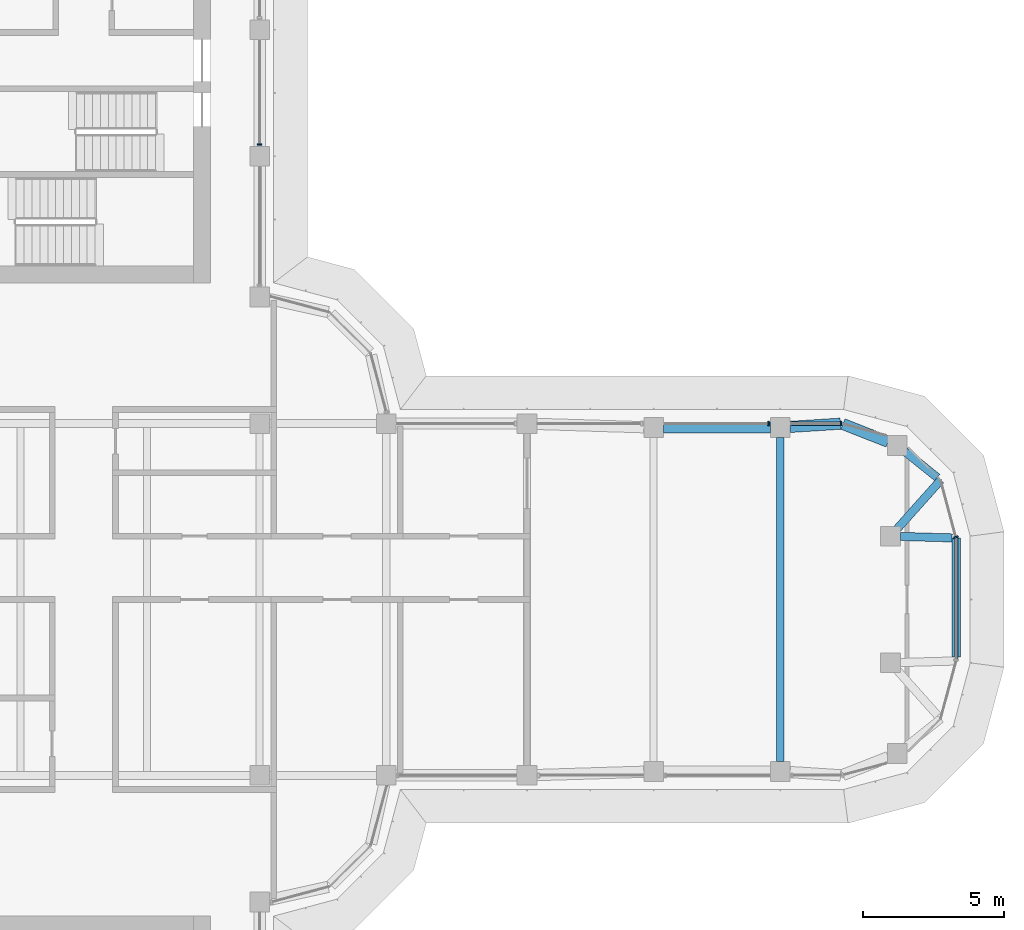
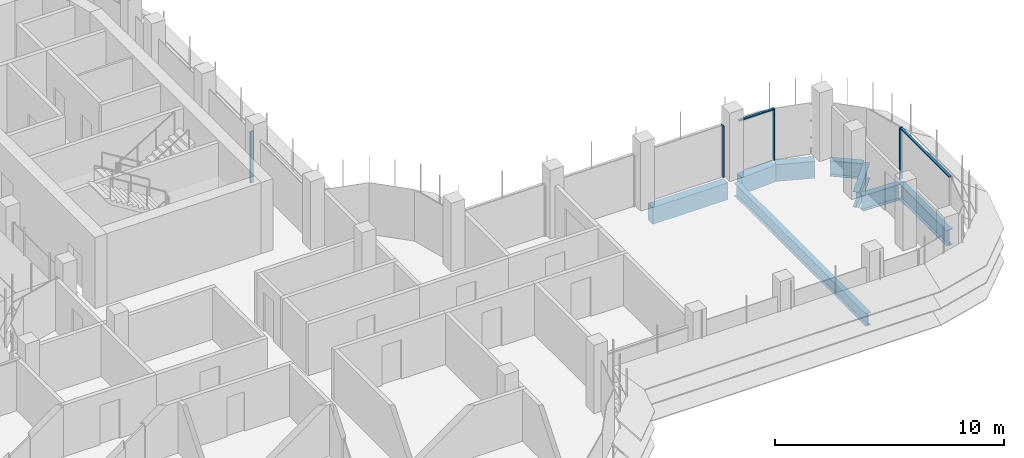
# One storey, part 9 of 18: 8 beams, 6 members, 4 elements without a shape of their own.
"""IFC4 building model written with IfcOpenShell, lengths in metres."""

from ifc_helpers import new_model, si_unit, direction, frame, origin, origin_2d, place, context, subcontext, project, spatial, polyline, rectangle, i_section, outline, extrude, source, transform, mapped, material, material_profile, profile_set, type_object, element, aggregate, save


model = new_model("IFC4")

# Units and contexts
model_context = context("Model", 3, precision=1e-05, world=origin(), true_north=direction((0.0, 1.0)))
body_context = subcontext(model_context, "Body", "Model", "MODEL_VIEW")
ifc_project = project(units=[si_unit("LENGTHUNIT", "METRE"), si_unit("AREAUNIT", "SQUARE_METRE"), si_unit("VOLUMEUNIT", "CUBIC_METRE"), si_unit("PLANEANGLEUNIT", "RADIAN"), si_unit("MASSUNIT", "GRAM", prefix="KILO")], contexts=[model_context])

# Site, building, storey
site_placement = place(None, origin())
site = spatial("IfcSite", under=ifc_project, at=site_placement, CompositionType="ELEMENT")
building_placement = place(site_placement, origin())
building = spatial("IfcBuilding", under=site, at=building_placement, Name="Zarbagh Exchange Tower", CompositionType="ELEMENT")
storey_placement = place(building_placement, frame((0.0, 0.0, 210.60009765625)))
storey = spatial("IfcBuildingStorey", under=building, at=storey_placement, Name="L51", CompositionType="ELEMENT", Elevation=210.60009765625)

# Beams
ifc_material_1 = material(Name="Steel ASTM A992 Gr 50", Category="steel")
ifc_material_profile_1 = material_profile(ifc_material_1, i_section(OverallWidth=0.25390625, OverallDepth=0.67822265625, WebThickness=0.01171875, FlangeThickness=0.016357421875, at=origin_2d()), Name="W27X84")
ifc_profile_set_1 = profile_set([ifc_material_profile_1], Name="Steel ASTM A992 Gr 50")
beam_type_1 = type_object("IfcBeamType", Name="Floor beam W27X84", PredefinedType="BEAM", material=ifc_profile_set_1)
beam_1_placement = place(storey_placement, frame((24.75, -5.760009765625, -0.4892578125), z_axis=(0.0, 1.0, 0.0), x_axis=(-1.0, 0.0, 0.0)))
element("IfcBeam", 1, at=beam_1_placement, inside=storey, type_object=beam_type_1, Name="Steel floor beam", PredefinedType="BEAM", context=body_context, shape_type="SweptSolid", body=[
    extrude(i_section(OverallWidth=0.25390625, OverallDepth=0.67822265625, WebThickness=0.01171875, FlangeThickness=0.016357421875, at=origin_2d()), origin(), (0.0, 0.0, 1.0), 11.52001953125),
])
ifc_material_profile_2 = material_profile(ifc_material_1, i_section(OverallWidth=0.2919921875, OverallDepth=0.835693359375, WebThickness=0.013916015625, FlangeThickness=0.018798828125, at=origin_2d()), Name="W33X118")
ifc_profile_set_2 = profile_set([ifc_material_profile_2], Name="Steel ASTM A992 Gr 50")
beam_type_2 = type_object("IfcBeamType", Name="Floor girder W33X118", PredefinedType="BEAM", material=ifc_profile_set_2)
beam_2_placement = place(storey_placement, frame((29.18115234375, 5.256103515625, -0.56787109375), z_axis=(0.780625690962, -0.624998824487, 0.0), x_axis=(0.624998824487, 0.780625690962, 0.0)))
element("IfcBeam", 2, at=beam_2_placement, inside=storey, type_object=beam_type_2, Name="Steel girder", PredefinedType="BEAM", context=body_context, shape_type="SweptSolid", body=[
    extrude(i_section(OverallWidth=0.2919921875, OverallDepth=0.835693359375, WebThickness=0.013916015625, FlangeThickness=0.018798828125, at=origin_2d()), origin(), (0.0, 0.0, 1.0), 1.469970703125),
])
beam_3_placement = place(storey_placement, frame((30.44873046875, 4.2412109375, -0.56787109375), z_axis=(-0.66615169279, -0.745816279115, 0.0), x_axis=(0.745816279115, -0.66615169279, 0.0)))
element("IfcBeam", 3, at=beam_3_placement, inside=storey, type_object=beam_type_2, Name="Steel girder", PredefinedType="BEAM", context=body_context, shape_type="SweptSolid", body=[
    extrude(i_section(OverallWidth=0.2919921875, OverallDepth=0.835693359375, WebThickness=0.013916015625, FlangeThickness=0.018798828125, at=origin_2d()), origin(), (0.0, 0.0, 1.0), 2.31982421875),
])
beam_4_placement = place(storey_placement, frame((29.02001953125, 2.239990234375, -0.56787109375), z_axis=(0.999603805015, -0.028146633904, 0.0), x_axis=(0.028146633904, 0.999603805015, 0.0)))
element("IfcBeam", 4, at=beam_4_placement, inside=storey, type_object=beam_type_2, Name="Steel girder", PredefinedType="BEAM", context=body_context, shape_type="SweptSolid", body=[
    extrude(i_section(OverallWidth=0.2919921875, OverallDepth=0.835693359375, WebThickness=0.013916015625, FlangeThickness=0.018798828125, at=origin_2d()), origin(), (0.0, 0.0, 1.0), 1.8388671875),
])
beam_5_placement = place(storey_placement, frame((31.0, 2.18408203125, -0.56787109375), z_axis=(0.0, -1.0, 0.0), x_axis=(1.0, 0.0, 0.0)))
element("IfcBeam", 5, at=beam_5_placement, inside=storey, type_object=beam_type_2, Name="Steel girder", PredefinedType="BEAM", context=body_context, shape_type="SweptSolid", body=[
    extrude(i_section(OverallWidth=0.2919921875, OverallDepth=0.835693359375, WebThickness=0.013916015625, FlangeThickness=0.018798828125, at=origin_2d()), origin(), (0.0, 0.0, 1.0), 4.226318359375),
])
ifc_material_2 = material(Name="Concrete C50/60", Category="concrete")
ifc_material_profile_3 = material_profile(ifc_material_2, rectangle(XDim=0.39990234375, YDim=0.89990234375, at=origin_2d()), Name="RC spandrel beam 400 x 900 C50/60")
ifc_profile_set_3 = profile_set([ifc_material_profile_3], Name="Concrete C50/60")
beam_type_3 = type_object("IfcBeamType", Name="RC spandrel beam 400 x 900 C50/60", PredefinedType="SPANDREL", material=ifc_profile_set_3)
beam_6_placement = place(storey_placement, frame((20.60009765625, 6.110107421875, -0.60009765625), z_axis=(1.0, 0.0, 0.0), x_axis=(0.0, 1.0, 0.0)))
element("IfcBeam", 6, at=beam_6_placement, inside=storey, type_object=beam_type_3, Name="RC spandrel beam", PredefinedType="SPANDREL", context=body_context, shape_type="SweptSolid", body=[
    extrude(rectangle(XDim=0.39990234375, YDim=0.89990234375, at=origin_2d()), origin(), (0.0, 0.0, 1.0), 3.7998046875),
])
beam_7_placement = place(storey_placement, frame((25.099365234375, 6.13232421875, -0.60009765625), z_axis=(0.997943601797, 0.064098109429, 0.0), x_axis=(-0.064098109429, 0.997943601797, 0.0)))
element("IfcBeam", 7, at=beam_7_placement, inside=storey, type_object=beam_type_3, Name="RC spandrel beam", PredefinedType="SPANDREL", context=body_context, shape_type="SweptSolid", body=[
    extrude(rectangle(XDim=0.39990234375, YDim=0.89990234375, at=origin_2d()), origin(), (0.0, 0.0, 1.0), 1.7939453125),
])
beam_8_placement = place(storey_placement, frame((26.9755859375, 6.233642578125, -0.60009765625), z_axis=(0.930818525178, -0.365481700207, 0.0), x_axis=(0.365481700207, 0.930818525178, 0.0)))
element("IfcBeam", 8, at=beam_8_placement, inside=storey, type_object=beam_type_3, Name="RC spandrel beam", PredefinedType="SPANDREL", context=body_context, shape_type="SweptSolid", body=[
    extrude(rectangle(XDim=0.39990234375, YDim=0.89990234375, at=origin_2d()), origin(), (0.0, 0.0, 1.0), 1.72607421875),
])

# Curtain wall, member
ifc_material_3 = material(Name="Anodised aluminium frame and glazing", Category="aluminium")
curtain_wall_type = type_object("IfcCurtainWallType", Name="CWB Ribbon glazing, upper zones", PredefinedType="NOTDEFINED", material=ifc_material_3)
curtain_wall_1_placement = place(storey_placement, origin())
curtain_wall_1 = element("IfcCurtainWall", 9, at=curtain_wall_1_placement, inside=storey, type_object=curtain_wall_type, Name="CWB13 curtain wall", PredefinedType="NOTDEFINED")
ifc_material_4 = material(Name="Anodised aluminium frame", Category="aluminium")
member_type_1 = type_object("IfcMemberType", Name="MUB Mullion, anodised aluminium frame", PredefinedType="MULLION", material=ifc_material_4)
shared_shape_1 = source(origin(), body_context, "Body", "SweptSolid", [
    extrude(outline(polyline([(0.0, -0.080078125), (0.06005859375, -0.080078125), (0.06005859375, 0.080078125), (0.0, 0.080078125), (0.0, -0.080078125)])), origin(), (0.0, 0.0, 1.0), 2.75),
])
placement = place(storey_placement, origin())
member_1 = element("IfcMember", 10, at=placement, type_object=member_type_1, Name="CWB13 mullion 1.1", PredefinedType="MULLION", context=body_context, shape_type="MappedRepresentation", body=[
    mapped(shared_shape_1, transform((31.0, 2.18408203125, 0.0), x_axis=(-0.258824779902, 0.965924289636, 0.0), y_axis=(-0.965924289636, -0.258824779902, 0.0), z_axis=(0.0, 0.0, 1.0))),
])
aggregate(curtain_wall_1, [member_1])

# Curtain wall, members
curtain_wall_2_placement = place(storey_placement, origin())
curtain_wall_2 = element("IfcCurtainWall", 11, at=curtain_wall_2_placement, inside=storey, type_object=curtain_wall_type, Name="CWB16 curtain wall", PredefinedType="NOTDEFINED")
member_2 = element("IfcMember", 12, at=placement, type_object=member_type_1, Name="CWB16 mullion 1.1", PredefinedType="MULLION", context=body_context, shape_type="MappedRepresentation", body=[
    mapped(shared_shape_1, transform((26.93408203125, 6.25, 0.0), x_axis=(-1.0, 0.0, 0.0), y_axis=(0.0, -1.0, 0.0), z_axis=(0.0, 0.0, 1.0))),
])
member_3 = element("IfcMember", 13, at=placement, type_object=member_type_1, Name="CWB16 mullion 2.1", PredefinedType="MULLION", context=body_context, shape_type="MappedRepresentation", body=[
    mapped(shared_shape_1, transform((24.35986328125, 6.25, 0.0), x_axis=(-1.0, 0.0, 0.0), y_axis=(0.0, -1.0, 0.0), z_axis=(0.0, 0.0, 1.0))),
])

# Curtain wall, member
curtain_wall_3_placement = place(storey_placement, origin())
curtain_wall_3 = element("IfcCurtainWall", 14, at=curtain_wall_3_placement, inside=storey, type_object=curtain_wall_type, Name="CWB20 curtain wall", PredefinedType="NOTDEFINED")
member_4 = element("IfcMember", 15, at=placement, type_object=member_type_1, Name="CWB20 mullion 2.1", PredefinedType="MULLION", context=body_context, shape_type="MappedRepresentation", body=[
    mapped(shared_shape_1, transform((6.25, 16.14013671875, 0.0), x_axis=(0.0, 1.0, 0.0), y_axis=(-1.0, 0.0, 0.0), z_axis=(0.0, 0.0, 1.0))),
])
aggregate(curtain_wall_3, [member_4])

# Member
member_type_2 = type_object("IfcMemberType", Name="TRB Transom, anodised aluminium frame", PredefinedType="USERDEFINED", material=ifc_material_4)
shared_shape_2 = source(origin(), body_context, "Body", "SweptSolid", [
    extrude(outline(polyline([(-0.06005859375, -0.06005859375), (0.0, -0.06005859375), (0.0, 0.06005859375), (-0.06005859375, 0.06005859375), (-0.06005859375, -0.06005859375)])), origin(), (0.0, 0.0, 1.0), 1.734130859375),
])
member_5 = element("IfcMember", 16, at=placement, type_object=member_type_2, Name="CWB16 transom 1.1", ObjectType="TRANSOM", PredefinedType="USERDEFINED", context=body_context, shape_type="MappedRepresentation", body=[
    mapped(shared_shape_2, transform((26.874267578125, 6.25, 2.75), x_axis=(0.0, 0.0, 1.0), y_axis=(0.0, 1.0, 0.0), z_axis=(-1.0, 0.0, 0.0))),
])

aggregate(curtain_wall_2, [member_2, member_5, member_3])

# Curtain wall, member
curtain_wall_4_placement = place(storey_placement, origin())
curtain_wall_4 = element("IfcCurtainWall", 17, at=curtain_wall_4_placement, inside=storey, type_object=curtain_wall_type, Name="CWB12 curtain wall", PredefinedType="NOTDEFINED")
shared_shape_3 = source(origin(), body_context, "Body", "SweptSolid", [
    extrude(outline(polyline([(-0.06005859375, -0.06005859375), (0.0, -0.06005859375), (0.0, 0.06005859375), (-0.06005859375, 0.06005859375), (-0.06005859375, -0.06005859375)])), origin(), (0.0, 0.0, 1.0), 4.308349609375),
])
member_6 = element("IfcMember", 18, at=placement, type_object=member_type_2, Name="CWB12 transom 1.1", ObjectType="TRANSOM", PredefinedType="USERDEFINED", context=body_context, shape_type="MappedRepresentation", body=[
    mapped(shared_shape_3, transform((31.0, -2.124267578125, 2.75), x_axis=(0.0, 0.0, 1.0), y_axis=(1.0, 0.0, 0.0), z_axis=(0.0, 1.0, 0.0))),
])
aggregate(curtain_wall_4, [member_6])

save(model, "model.ifc")
